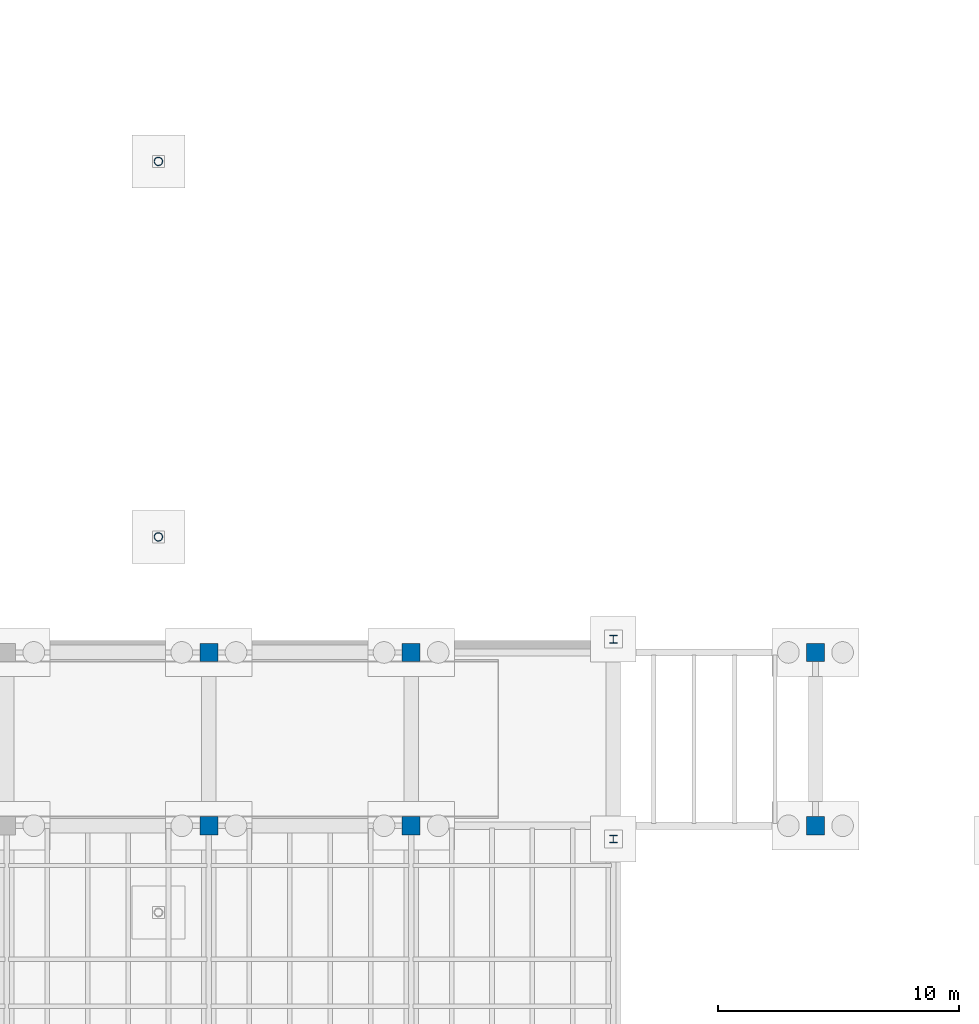
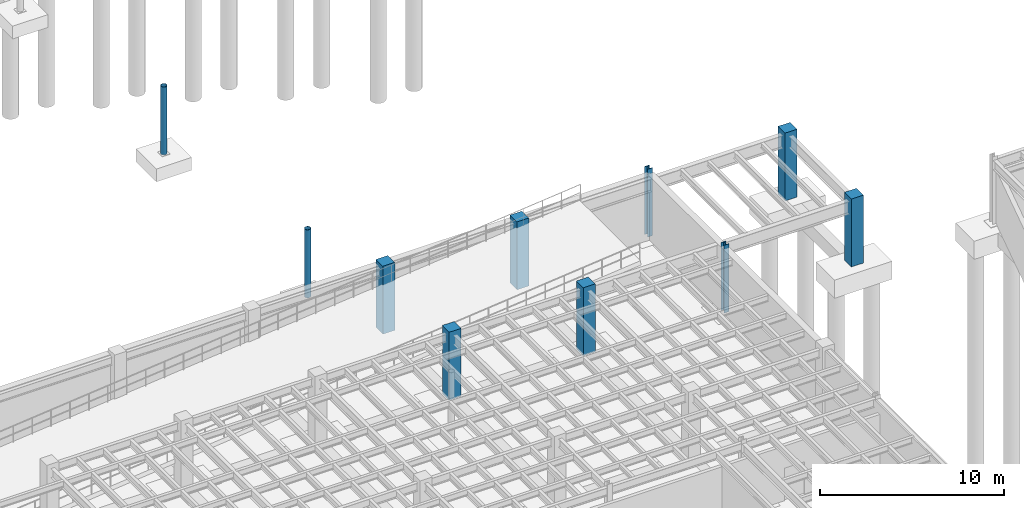
# One storey, part 15 of 41: 10 columns.
"""IFC4 building model written with IfcOpenShell, lengths in metres."""

from ifc_helpers import new_model, si_unit, direction, frame, origin, origin_2d, place, context, subcontext, project, spatial, rectangle, hollow_circle, i_section, extrude, material, material_profile, profile_set, type_object, element, save


model = new_model("IFC4")

# Units and contexts
model_context = context("Model", 3, precision=1e-05, world=origin(), true_north=direction((0.0, 1.0)))
body_context = subcontext(model_context, "Body", "Model", "MODEL_VIEW")
ifc_project = project(units=[si_unit("LENGTHUNIT", "METRE"), si_unit("AREAUNIT", "SQUARE_METRE"), si_unit("VOLUMEUNIT", "CUBIC_METRE"), si_unit("PLANEANGLEUNIT", "RADIAN"), si_unit("MASSUNIT", "GRAM", prefix="KILO")], contexts=[model_context])

# Site, building, storey
site_placement = place(None, origin())
site = spatial("IfcSite", under=ifc_project, at=site_placement, CompositionType="ELEMENT")
building_placement = place(site_placement, origin())
building = spatial("IfcBuilding", under=site, at=building_placement, Name="Selat Folded Stagehouse", CompositionType="ELEMENT")
storey_placement = place(building_placement, frame((0.0, 0.0, -4.5)))
storey = spatial("IfcBuildingStorey", under=building, at=storey_placement, Name="B1", CompositionType="ELEMENT", Elevation=-4.5)

# Columns
ifc_material_1 = material(Name="Steel S355", Category="steel")
ifc_material_profile_1 = material_profile(ifc_material_1, hollow_circle(Radius=0.177734375, WallThickness=0.01611328125, at=origin_2d()), Name="CHS 355.6x16.0")
ifc_profile_set_1 = profile_set([ifc_material_profile_1], Name="Steel S355")
column_type_1 = type_object("IfcColumnType", Name="COL-CHS-355x16", PredefinedType="COLUMN", material=ifc_profile_set_1)
for number, where, z_axis, x_axis, name in (
    (1, (98.699951171875, 46.800048828125, 0.0), (0.0, 0.0, 1.0), (1.0, 0.0, 0.0), "B1 column STK-BR2-468"),
    (2, (98.699951171875, 62.39990234375, 0.0), (0.0, 0.0, 1.0), (1.0, 0.0, 0.0), "B1 column STK-BR2-624"),
):
    element("IfcColumn", number, at=place(storey_placement, frame(where, z_axis=z_axis, x_axis=x_axis)), inside=storey, type_object=column_type_1, Name=name, PredefinedType="COLUMN", context=body_context, shape_type="SweptSolid", body=[
        extrude(hollow_circle(Radius=0.177734375, WallThickness=0.01611328125, at=origin_2d()), origin(), (0.0, 0.0, 1.0), 4.5),
    ])
ifc_material_2 = material(Name="Concrete C50/60", Category="concrete")
ifc_material_profile_2 = material_profile(ifc_material_2, rectangle(XDim=0.75, YDim=0.75, at=origin_2d()), Name="RC 750x750")
ifc_profile_set_2 = profile_set([ifc_material_profile_2], Name="Concrete C50/60")
column_type_2 = type_object("IfcColumnType", Name="COL-RC-750x750", PredefinedType="COLUMN", material=ifc_profile_set_2)
for number, where, z_axis, x_axis, name in (
    (3, (100.800048828125, 34.800048828125, 0.0), (0.0, 0.0, 1.0), (1.0, 0.0, 0.0), "B1 column STK-B1CP-100-348"),
    (4, (100.800048828125, 42.0, 0.0), (0.0, 0.0, 1.0), (1.0, 0.0, 0.0), "B1 column STK-B1CP-100-420"),
    (5, (109.199951171875, 34.800048828125, 0.0), (0.0, 0.0, 1.0), (1.0, 0.0, 0.0), "B1 column STK-B1CP-109-348"),
    (6, (109.199951171875, 42.0, 0.0), (0.0, 0.0, 1.0), (1.0, 0.0, 0.0), "B1 column STK-B1CP-109-420"),
    (7, (126.0, 34.800048828125, 0.0), (0.0, 0.0, 1.0), (1.0, 0.0, 0.0), "B1 column STK-B1CP-126-348"),
    (8, (126.0, 42.0, 0.0), (0.0, 0.0, 1.0), (1.0, 0.0, 0.0), "B1 column STK-B1CP-126-420"),
):
    element("IfcColumn", number, at=place(storey_placement, frame(where, z_axis=z_axis, x_axis=x_axis)), inside=storey, type_object=column_type_2, Name=name, PredefinedType="COLUMN", context=body_context, shape_type="SweptSolid", body=[
        extrude(rectangle(XDim=0.75, YDim=0.75, at=origin_2d()), origin(), (0.0, 0.0, 1.0), 4.5),
    ])
ifc_material_profile_3 = material_profile(ifc_material_1, i_section(OverallWidth=0.30908203125, OverallDepth=0.320556640625, WebThickness=0.013916015625, FlangeThickness=0.021728515625, FilletRadius=0.01513671875, at=origin_2d()), Name="UKC 305x305x137")
ifc_profile_set_3 = profile_set([ifc_material_profile_3], Name="Steel S355")
column_type_3 = type_object("IfcColumnType", Name="COL-UKC-305x305x137", PredefinedType="COLUMN", material=ifc_profile_set_3)
for number, where, z_axis, x_axis, name in (
    (9, (117.60009765625, 34.25, 0.0), (0.0, 0.0, 1.0), (1.0, 0.0, 0.0), "B1 column STK-RMPJMB-S"),
    (10, (117.60009765625, 42.550048828125, 0.0), (0.0, 0.0, 1.0), (1.0, 0.0, 0.0), "B1 column STK-RMPJMB-N"),
):
    element("IfcColumn", number, at=place(storey_placement, frame(where, z_axis=z_axis, x_axis=x_axis)), inside=storey, type_object=column_type_3, Name=name, PredefinedType="COLUMN", context=body_context, shape_type="SweptSolid", body=[
        extrude(i_section(OverallWidth=0.30908203125, OverallDepth=0.320556640625, WebThickness=0.013916015625, FlangeThickness=0.021728515625, FilletRadius=0.01513671875, at=origin_2d()), origin(), (0.0, 0.0, 1.0), 4.5),
    ])

save(model, "model.ifc")
